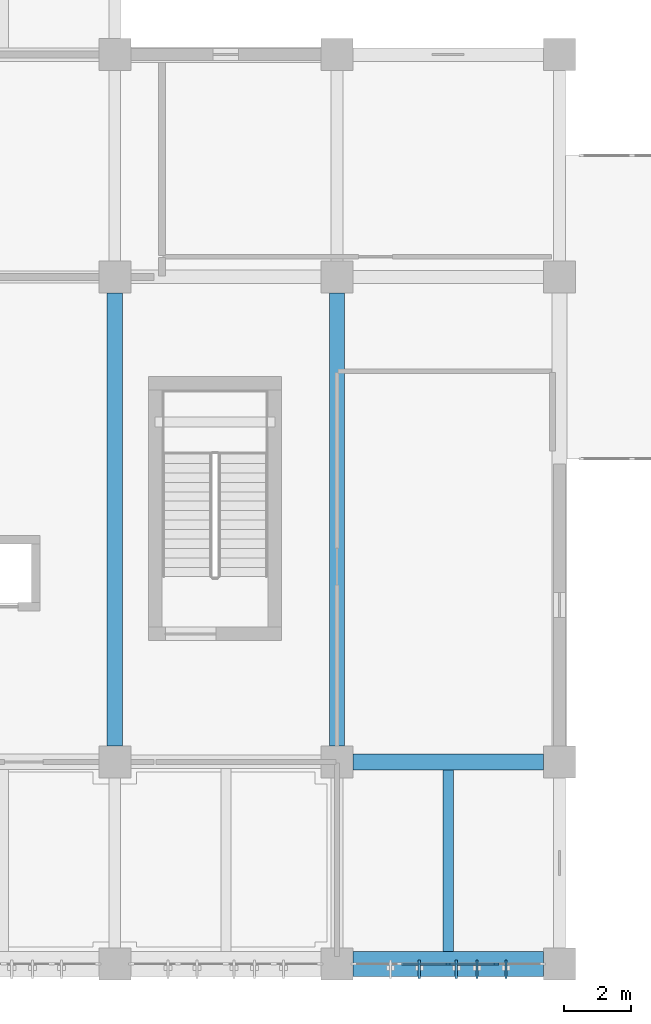
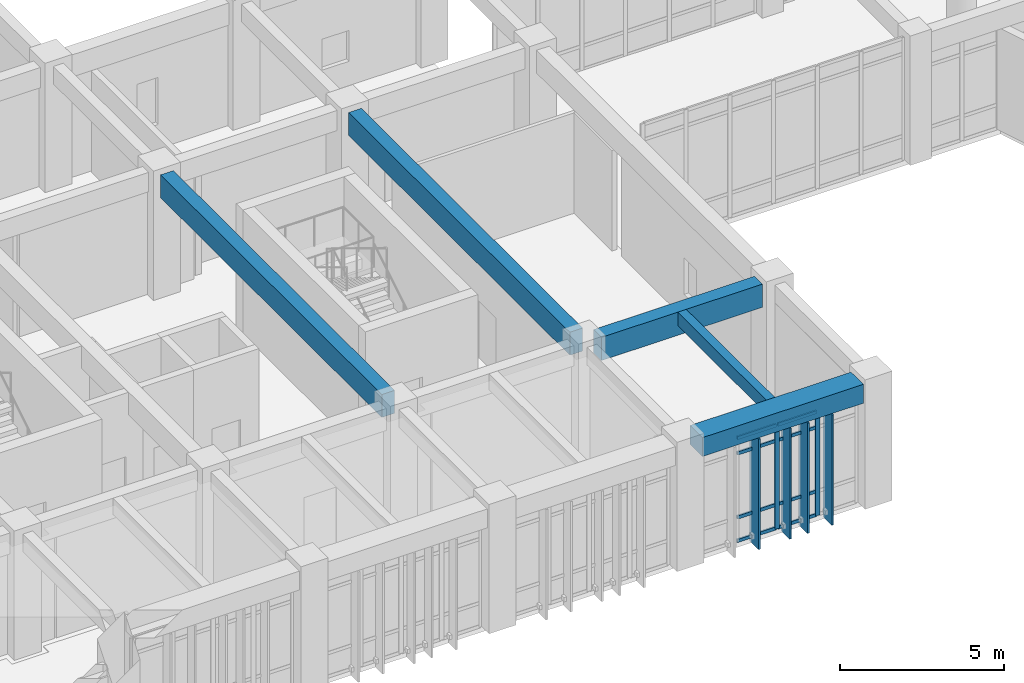
# One storey, part 4 of 68: 14 members, 5 beams, 1 element without a shape of its own.
"""IFC4 building model written with IfcOpenShell, lengths in metres."""

from ifc_helpers import new_model, si_unit, direction, frame, origin, origin_2d, place, context, subcontext, project, spatial, rectangle, extrude, material, layer, layer_set, material_profile, profile_set, type_object, element, aggregate, save


model = new_model("IFC4")

# Units and contexts
model_context = context("Model", 3, precision=1e-05, world=origin(), true_north=direction((0.0, 1.0)))
body_context = subcontext(model_context, "Body", "Model", "MODEL_VIEW")
ifc_project = project(units=[si_unit("LENGTHUNIT", "METRE"), si_unit("AREAUNIT", "SQUARE_METRE"), si_unit("VOLUMEUNIT", "CUBIC_METRE"), si_unit("PLANEANGLEUNIT", "RADIAN"), si_unit("MASSUNIT", "GRAM", prefix="KILO")], contexts=[model_context])

# Site, building, storey
site_placement = place(None, origin())
site = spatial("IfcSite", under=ifc_project, at=site_placement, CompositionType="ELEMENT")
building_placement = place(site_placement, origin())
building = spatial("IfcBuilding", under=site, at=building_placement, Name="Miralva Faculty of Natural Sciences", CompositionType="ELEMENT")
storey_placement = place(building_placement, frame((0.0, 0.0, 5.39990234375)))
storey = spatial("IfcBuildingStorey", under=building, at=storey_placement, Name="L01", CompositionType="ELEMENT", Elevation=5.39990234375)

# Beams
ifc_material_1 = material(Name="Concrete C40/50", Category="concrete")
ifc_material_profile_1 = material_profile(ifc_material_1, rectangle(XDim=0.449951171875, YDim=0.85009765625, at=origin_2d()), Name="RC 450x850")
ifc_profile_set_1 = profile_set([ifc_material_profile_1], Name="Concrete C40/50")
beam_type_1 = type_object("IfcBeamType", Name="BM-B01", PredefinedType="BEAM", material=ifc_profile_set_1)
for number, where, z_axis, x_axis, name in (
    (1, (22.800048828125, 9.47509765625, 4.155029296875), (0.0, 1.0, 0.0), (-1.0, 0.0, 0.0), "Girder NS L01-126"),
    (2, (29.39990234375, 9.47509765625, 4.155029296875), (0.0, 1.0, 0.0), (-1.0, 0.0, 0.0), "Girder NS L01-139"),
):
    element("IfcBeam", number, at=place(storey_placement, frame(where, z_axis=z_axis, x_axis=x_axis)), inside=storey, type_object=beam_type_1, Name=name, PredefinedType="BEAM", context=body_context, shape_type="SweptSolid", body=[
        extrude(rectangle(XDim=0.449951171875, YDim=0.85009765625, at=origin_2d()), origin(), (0.0, 0.0, 1.0), 13.449951171875),
    ])
ifc_material_profile_2 = material_profile(ifc_material_1, rectangle(XDim=0.47998046875, YDim=0.860107421875, at=origin_2d()), Name="RC 480x860")
ifc_profile_set_2 = profile_set([ifc_material_profile_2], Name="Concrete C40/50")
beam_type_2 = type_object("IfcBeamType", Name="BM-BG17", PredefinedType="BEAM", material=ifc_profile_set_2)
beam_1_placement = place(storey_placement, frame((29.875, 9.0, 4.150146484375), z_axis=(1.0, 0.0, 0.0), x_axis=(0.0, 1.0, 0.0)))
element("IfcBeam", 3, at=beam_1_placement, inside=storey, type_object=beam_type_2, Name="Girder EW L01-15", PredefinedType="BEAM", context=body_context, shape_type="SweptSolid", body=[
    extrude(rectangle(XDim=0.47998046875, YDim=0.860107421875, at=origin_2d()), origin(), (0.0, 0.0, 1.0), 5.64990234375),
])
ifc_material_profile_3 = material_profile(ifc_material_1, rectangle(XDim=0.300048828125, YDim=0.5, at=origin_2d()), Name="RC 300x500")
ifc_profile_set_3 = profile_set([ifc_material_profile_3], Name="Concrete C40/50")
beam_type_3 = type_object("IfcBeamType", Name="BM-J03", PredefinedType="JOIST", material=ifc_profile_set_3)
beam_2_placement = place(storey_placement, frame((32.699951171875, 3.375, 4.330078125), z_axis=(0.0, 1.0, 0.0), x_axis=(-1.0, 0.0, 0.0)))
element("IfcBeam", 4, at=beam_2_placement, inside=storey, type_object=beam_type_3, Name="Floor joist L01-5", PredefinedType="JOIST", context=body_context, shape_type="SweptSolid", body=[
    extrude(rectangle(XDim=0.300048828125, YDim=0.5, at=origin_2d()), origin(), (0.0, 0.0, 1.0), 5.385009765625),
])
ifc_material_profile_4 = material_profile(ifc_material_1, rectangle(XDim=0.75, YDim=0.699951171875, at=origin_2d()), Name="RC 750x700")
ifc_profile_set_4 = profile_set([ifc_material_profile_4], Name="Concrete C40/50")
beam_type_4 = type_object("IfcBeamType", Name="BM-SP01", PredefinedType="SPANDREL", material=ifc_profile_set_4)
beam_3_placement = place(storey_placement, frame((29.875, 3.0, 4.22998046875), z_axis=(1.0, 0.0, 0.0), x_axis=(0.0, 1.0, 0.0)))
element("IfcBeam", 5, at=beam_3_placement, inside=storey, type_object=beam_type_4, Name="Girder EW L01-5", PredefinedType="SPANDREL", context=body_context, shape_type="SweptSolid", body=[
    extrude(rectangle(XDim=0.75, YDim=0.699951171875, at=origin_2d()), origin(), (0.0, 0.0, 1.0), 5.64990234375),
])

# Curtain wall, members
ifc_material_2 = material(Name="Laminated solar-control glass", Category="glass")
ifc_layer = layer(ifc_material_2, 0.179931640625, Name="CW-TWR-L01")
ifc_layer_set = layer_set([ifc_layer], Name="Laminated solar-control glass")
curtain_wall_type = type_object("IfcCurtainWallType", Name="CW-TWR-L01", PredefinedType="USERDEFINED", material=ifc_layer_set)
curtain_wall_placement = place(storey_placement, origin())
curtain_wall = element("IfcCurtainWall", 6, at=curtain_wall_placement, inside=storey, type_object=curtain_wall_type, Name="Curtain wall CW-13 L01-217", ObjectType="UNITISED CURTAIN WALL", PredefinedType="USERDEFINED")
ifc_material_3 = material(Name="Anodised aluminium", Category="aluminium")
ifc_material_profile_5 = material_profile(ifc_material_3, rectangle(XDim=0.06494140625, YDim=0.159912109375, at=origin_2d()), Name="MULLION 65x160")
ifc_profile_set_5 = profile_set([ifc_material_profile_5], Name="Anodised aluminium")
member_type_1 = type_object("IfcMemberType", Name="CW-M02", PredefinedType="MULLION", material=ifc_profile_set_5)
member_1_placement = place(storey_placement, frame((32.699951171875, 3.0, 0.0), z_axis=(0.0, 0.0, 1.0), x_axis=(0.0, 1.0, 0.0)))
member_1 = element("IfcMember", 7, at=member_1_placement, type_object=member_type_1, Name="CW-13 mullion 3", PredefinedType="MULLION", context=body_context, shape_type="SweptSolid", body=[
    extrude(rectangle(XDim=0.06494140625, YDim=0.159912109375, at=origin_2d()), origin(), (0.0, 0.0, 1.0), 3.875),
])
member_2_placement = place(storey_placement, frame((34.12255859375, 3.0, 0.0), z_axis=(0.0, 0.0, 1.0), x_axis=(0.0, 1.0, 0.0)))
member_2 = element("IfcMember", 8, at=member_2_placement, type_object=member_type_1, Name="CW-13 mullion 4", PredefinedType="MULLION", context=body_context, shape_type="SweptSolid", body=[
    extrude(rectangle(XDim=0.06494140625, YDim=0.159912109375, at=origin_2d()), origin(), (0.0, 0.0, 1.0), 3.875),
])
ifc_material_profile_6 = material_profile(ifc_material_3, rectangle(XDim=0.06005859375, YDim=0.1201171875, at=origin_2d()), Name="TRANSOM 60x120")
ifc_profile_set_6 = profile_set([ifc_material_profile_6], Name="Anodised aluminium")
member_type_2 = type_object("IfcMemberType", Name="CW-T02", PredefinedType="USERDEFINED", material=ifc_profile_set_6)
member_3_placement = place(storey_placement, frame((31.31005859375, 3.0, 0.030029296875), z_axis=(1.0, 0.0, 0.0), x_axis=(0.0, 1.0, 0.0)))
member_3 = element("IfcMember", 9, at=member_3_placement, type_object=member_type_2, Name="CW-13 transom 2.1", ObjectType="TRANSOM", PredefinedType="USERDEFINED", context=body_context, shape_type="SweptSolid", body=[
    extrude(rectangle(XDim=0.06005859375, YDim=0.1201171875, at=origin_2d()), origin(), (0.0, 0.0, 1.0), 1.357421875),
])
member_4_placement = place(storey_placement, frame((31.31005859375, 3.0, 0.900146484375), z_axis=(1.0, 0.0, 0.0), x_axis=(0.0, 1.0, 0.0)))
member_4 = element("IfcMember", 10, at=member_4_placement, type_object=member_type_2, Name="CW-13 transom 2.2", ObjectType="TRANSOM", PredefinedType="USERDEFINED", context=body_context, shape_type="SweptSolid", body=[
    extrude(rectangle(XDim=0.06005859375, YDim=0.1201171875, at=origin_2d()), origin(), (0.0, 0.0, 1.0), 1.357421875),
])
member_5_placement = place(storey_placement, frame((31.31005859375, 3.0, 3.275146484375), z_axis=(1.0, 0.0, 0.0), x_axis=(0.0, 1.0, 0.0)))
member_5 = element("IfcMember", 11, at=member_5_placement, type_object=member_type_2, Name="CW-13 transom 2.3", ObjectType="TRANSOM", PredefinedType="USERDEFINED", context=body_context, shape_type="SweptSolid", body=[
    extrude(rectangle(XDim=0.06005859375, YDim=0.1201171875, at=origin_2d()), origin(), (0.0, 0.0, 1.0), 1.357421875),
])
member_6_placement = place(storey_placement, frame((31.31005859375, 3.0, 3.84521484375), z_axis=(1.0, 0.0, 0.0), x_axis=(0.0, 1.0, 0.0)))
member_6 = element("IfcMember", 12, at=member_6_placement, type_object=member_type_2, Name="CW-13 transom 2.4", ObjectType="TRANSOM", PredefinedType="USERDEFINED", context=body_context, shape_type="SweptSolid", body=[
    extrude(rectangle(XDim=0.06005859375, YDim=0.1201171875, at=origin_2d()), origin(), (0.0, 0.0, 1.0), 1.357421875),
])
member_7_placement = place(storey_placement, frame((32.732421875, 3.0, 0.030029296875), z_axis=(1.0, 0.0, 0.0), x_axis=(0.0, 1.0, 0.0)))
member_7 = element("IfcMember", 13, at=member_7_placement, type_object=member_type_2, Name="CW-13 transom 3.1", ObjectType="TRANSOM", PredefinedType="USERDEFINED", context=body_context, shape_type="SweptSolid", body=[
    extrude(rectangle(XDim=0.06005859375, YDim=0.1201171875, at=origin_2d()), origin(), (0.0, 0.0, 1.0), 1.357666015625),
])
member_8_placement = place(storey_placement, frame((32.732421875, 3.0, 0.900146484375), z_axis=(1.0, 0.0, 0.0), x_axis=(0.0, 1.0, 0.0)))
member_8 = element("IfcMember", 14, at=member_8_placement, type_object=member_type_2, Name="CW-13 transom 3.2", ObjectType="TRANSOM", PredefinedType="USERDEFINED", context=body_context, shape_type="SweptSolid", body=[
    extrude(rectangle(XDim=0.06005859375, YDim=0.1201171875, at=origin_2d()), origin(), (0.0, 0.0, 1.0), 1.357666015625),
])
member_9_placement = place(storey_placement, frame((32.732421875, 3.0, 3.275146484375), z_axis=(1.0, 0.0, 0.0), x_axis=(0.0, 1.0, 0.0)))
member_9 = element("IfcMember", 15, at=member_9_placement, type_object=member_type_2, Name="CW-13 transom 3.3", ObjectType="TRANSOM", PredefinedType="USERDEFINED", context=body_context, shape_type="SweptSolid", body=[
    extrude(rectangle(XDim=0.06005859375, YDim=0.1201171875, at=origin_2d()), origin(), (0.0, 0.0, 1.0), 1.357666015625),
])
member_10_placement = place(storey_placement, frame((32.732421875, 3.0, 3.84521484375), z_axis=(1.0, 0.0, 0.0), x_axis=(0.0, 1.0, 0.0)))
member_10 = element("IfcMember", 16, at=member_10_placement, type_object=member_type_2, Name="CW-13 transom 3.4", ObjectType="TRANSOM", PredefinedType="USERDEFINED", context=body_context, shape_type="SweptSolid", body=[
    extrude(rectangle(XDim=0.06005859375, YDim=0.1201171875, at=origin_2d()), origin(), (0.0, 0.0, 1.0), 1.357666015625),
])
aggregate(curtain_wall, [member_1, member_2, member_3, member_4, member_5, member_6, member_7, member_8, member_9, member_10])

# Members
ifc_material_profile_7 = material_profile(ifc_material_3, rectangle(XDim=0.06494140625, YDim=0.550048828125, at=origin_2d()), Name="FIN 550x65")
ifc_profile_set_7 = profile_set([ifc_material_profile_7], Name="Anodised aluminium")
member_type_3 = type_object("IfcMemberType", Name="MEM-SF03", PredefinedType="USERDEFINED", material=ifc_profile_set_7)
for number, where, z_axis, x_axis, name in (
    (17, (31.842041015625, 2.840087890625, -0.219970703125), (0.0, 0.0, 1.0), (1.0, 0.0, 0.0), "Solar shading fin SF-03 L01-205"),
    (18, (32.93994140625, 2.840087890625, -0.219970703125), (0.0, 0.0, 1.0), (1.0, 0.0, 0.0), "Solar shading fin SF-03 L01-206"),
    (19, (33.55810546875, 2.840087890625, -0.219970703125), (0.0, 0.0, 1.0), (1.0, 0.0, 0.0), "Solar shading fin SF-03 L01-207"),
    (20, (34.416015625, 2.840087890625, -0.219970703125), (0.0, 0.0, 1.0), (1.0, 0.0, 0.0), "Solar shading fin SF-03 L01-208"),
):
    element("IfcMember", number, at=place(storey_placement, frame(where, z_axis=z_axis, x_axis=x_axis)), inside=storey, type_object=member_type_3, Name=name, ObjectType="SUNSHADE", PredefinedType="USERDEFINED", context=body_context, shape_type="SweptSolid", body=[
        extrude(rectangle(XDim=0.06494140625, YDim=0.550048828125, at=origin_2d()), origin(), (0.0, 0.0, 1.0), 4.094970703125),
    ])

save(model, "model.ifc")
